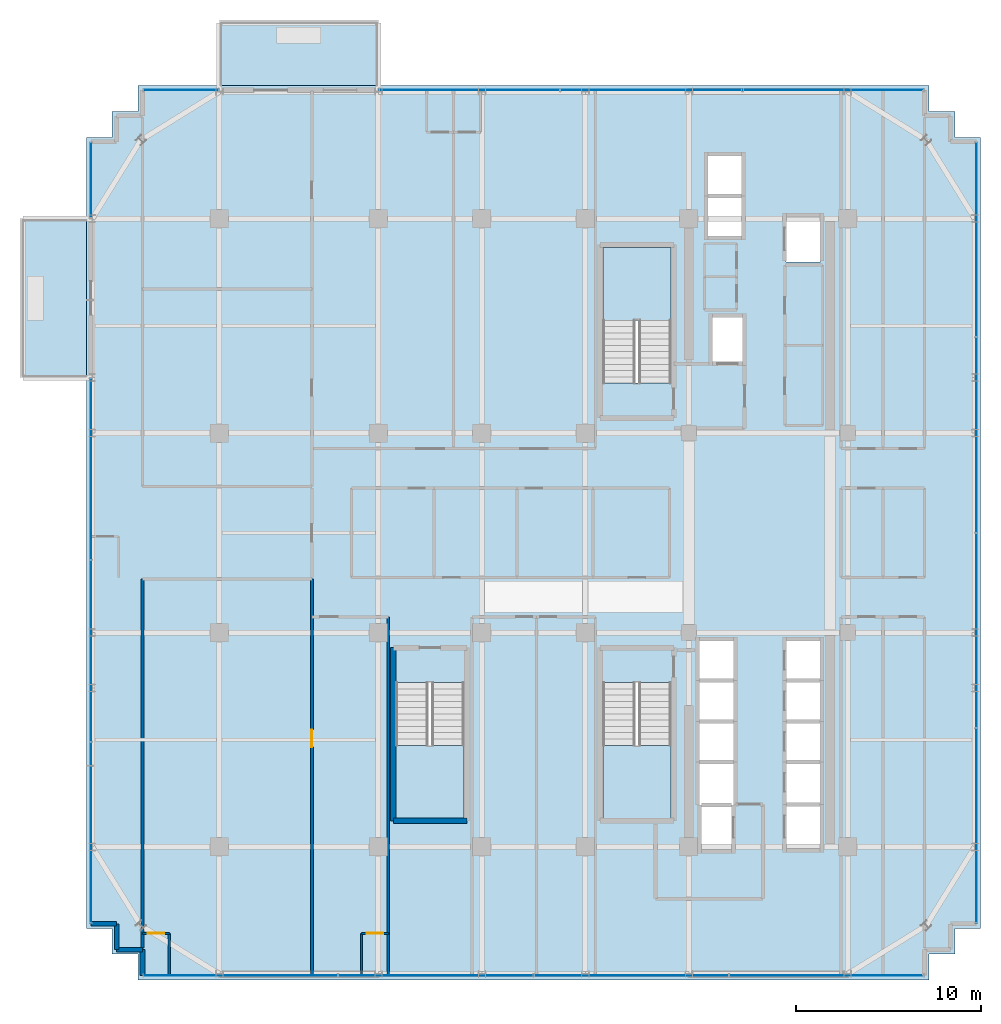
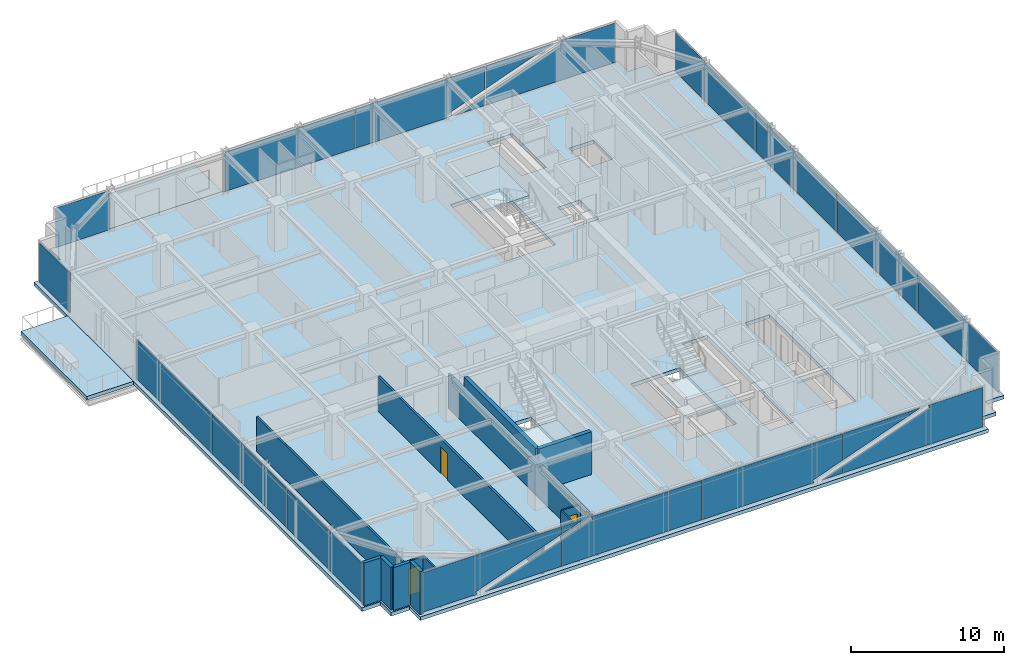
# One storey, part 28 of 36: 16 plates, 13 walls, 6 slabs, 3 doors, 3 openings, 9 elements without a shape of their own.
"""IFC4 building model written with IfcOpenShell, lengths in metres."""

from ifc_helpers import new_model, si_unit, direction, frame, frame_2d, origin, origin_2d, place, context, subcontext, project, spatial, polyline, rectangle, outline, extrude, source, transform, mapped, material, layer, layer_set, type_object, element, fill, aggregate, save


model = new_model("IFC4")

# Units and contexts
model_context = context("Model", 3, precision=1e-05, world=origin(), true_north=direction((0.0, 1.0)))
body_context = subcontext(model_context, "Body", "Model", "MODEL_VIEW")
ifc_project = project(units=[si_unit("LENGTHUNIT", "METRE"), si_unit("AREAUNIT", "SQUARE_METRE"), si_unit("VOLUMEUNIT", "CUBIC_METRE"), si_unit("PLANEANGLEUNIT", "RADIAN"), si_unit("MASSUNIT", "GRAM", prefix="KILO")], contexts=[model_context])

# Site, building, storey
site_placement = place(None, origin())
site = spatial("IfcSite", under=ifc_project, at=site_placement, CompositionType="ELEMENT")
building_placement = place(site_placement, origin())
building = spatial("IfcBuilding", under=site, at=building_placement, Name="Nahalor Promenade Grand Hotel", CompositionType="ELEMENT")
storey_placement = place(building_placement, frame((0.0, 0.0, 241.89990234375)))
storey = spatial("IfcBuildingStorey", under=building, at=storey_placement, Name="L62", CompositionType="ELEMENT", Elevation=241.89990234375)

# Curtain wall, plates
ifc_material_1 = material(Name="Anodised Bronze Aluminium EN AW-6063 T6", Category="aluminium")
curtain_wall_type = type_object("IfcCurtainWallType", Name="CW2 Typical Hotel Flush Bronze Unitised Curtain Wall", PredefinedType="USERDEFINED", material=ifc_material_1)
curtain_wall_1_placement = place(storey_placement, origin())
curtain_wall_1 = element("IfcCurtainWall", 1, at=curtain_wall_1_placement, inside=storey, type_object=curtain_wall_type, Name="L62 Curtain Wall CW-L62-S-1", ObjectType="UNITISED_CURTAIN_WALL", PredefinedType="USERDEFINED")
ifc_material_2 = material(Name="Low-E Laminated Solar Glass", Category="glass")
ifc_layer_1 = layer(ifc_material_2, 0.028076171875)
ifc_layer_set_1 = layer_set([ifc_layer_1], Name="Low-E Laminated Solar Glass")
plate_type = type_object("IfcPlateType", Name="CWP2 Bronze Low-E Vision IGU 28mm", PredefinedType="CURTAIN_PANEL", material=ifc_layer_set_1)
plate_1_placement = place(storey_placement, frame((-15.853759765625, -23.9599609375, 0.130126953125), z_axis=(0.0, 0.0, 1.0), x_axis=(1.0, 0.0, 0.0)))
plate_1 = element("IfcPlate", 2, at=plate_1_placement, type_object=plate_type, Name="CW-L62-S-1 Glazing Panel 0-0", PredefinedType="CURTAIN_PANEL", context=body_context, shape_type="SweptSolid", body=[
    extrude(outline(polyline([(-5.2412109375, 3.14990234375), (-5.2412109375, 0.0), (-1.16552734375, 0.0), (-1.246337890625, 0.22314453125), (5.2412109375, 2.569091796875), (5.2412109375, 3.14990234375), (-5.2412109375, 3.14990234375)])), frame((0.0, 0.01416015625, 0.0), z_axis=(0.0, -1.0, 0.0), x_axis=(1.0, 0.0, 0.0)), (0.0, 0.0, 1.0), 0.028076171875),
    extrude(outline(polyline([(-0.5400390625, 0.0), (5.2412109375, 0.0), (5.2412109375, 2.090576171875), (-0.5400390625, 0.0)])), frame((0.0, 0.01416015625, 0.0), z_axis=(0.0, -1.0, 0.0), x_axis=(1.0, 0.0, 0.0)), (0.0, 0.0, 1.0), 0.028076171875),
])
plate_2_placement = place(storey_placement, frame((-5.2900390625, -23.9599609375, 0.130126953125), z_axis=(0.0, 0.0, 1.0), x_axis=(1.0, 0.0, 0.0)))
plate_2 = element("IfcPlate", 3, at=plate_2_placement, type_object=plate_type, Name="CW-L62-S-1 Glazing Panel 1-0", PredefinedType="CURTAIN_PANEL", context=body_context, shape_type="SweptSolid", body=[
    extrude(outline(polyline([(5.257568359375, 0.0), (5.257568359375, 3.14990234375), (-3.090576171875, 3.14990234375), (-3.010009765625, 2.927001953125), (-5.257568359375, 2.1142578125), (-5.257568359375, 0.0), (5.257568359375, 0.0)])), frame((0.0, 0.01416015625, 0.0), z_axis=(0.0, -1.0, 0.0), x_axis=(1.0, 0.0, 0.0)), (0.0, 0.0, 1.0), 0.028076171875),
    extrude(outline(polyline([(-3.71630859375, 3.14990234375), (-5.257568359375, 3.14990234375), (-5.257568359375, 2.5927734375), (-3.71630859375, 3.14990234375)])), frame((0.0, 0.01416015625, 0.0), z_axis=(0.0, -1.0, 0.0), x_axis=(1.0, 0.0, 0.0)), (0.0, 0.0, 1.0), 0.028076171875),
])
plate_3_placement = place(storey_placement, frame((5.2900390625, -23.9599609375, 0.130126953125), z_axis=(0.0, 0.0, 1.0), x_axis=(1.0, 0.0, 0.0)))
plate_3 = element("IfcPlate", 4, at=plate_3_placement, type_object=plate_type, Name="CW-L62-S-1 Glazing Panel 2-0", PredefinedType="CURTAIN_PANEL", context=body_context, shape_type="SweptSolid", body=[
    extrude(outline(polyline([(-5.257568359375, 3.14990234375), (-5.257568359375, 0.0), (3.090576171875, 0.0), (3.010009765625, 0.22314453125), (5.257568359375, 1.035888671875), (5.257568359375, 3.14990234375), (-5.257568359375, 3.14990234375)])), frame((0.0, 0.01416015625, 0.0), z_axis=(0.0, -1.0, 0.0), x_axis=(1.0, 0.0, 0.0)), (0.0, 0.0, 1.0), 0.028076171875),
    extrude(outline(polyline([(3.71630859375, 0.0), (5.257568359375, 0.0), (5.257568359375, 0.557373046875), (3.71630859375, 0.0)])), frame((0.0, 0.01416015625, 0.0), z_axis=(0.0, -1.0, 0.0), x_axis=(1.0, 0.0, 0.0)), (0.0, 0.0, 1.0), 0.028076171875),
])
plate_4_placement = place(storey_placement, frame((15.853759765625, -23.9599609375, 0.130126953125), z_axis=(0.0, 0.0, 1.0), x_axis=(1.0, 0.0, 0.0)))
plate_4 = element("IfcPlate", 5, at=plate_4_placement, type_object=plate_type, Name="CW-L62-S-1 Glazing Panel 3-0", PredefinedType="CURTAIN_PANEL", context=body_context, shape_type="SweptSolid", body=[
    extrude(outline(polyline([(5.2412109375, 0.0), (5.2412109375, 3.14990234375), (1.16552734375, 3.14990234375), (1.246337890625, 2.927001953125), (-5.2412109375, 0.580810546875), (-5.2412109375, 0.0), (5.2412109375, 0.0)])), frame((0.0, 0.01416015625, 0.0), z_axis=(0.0, -1.0, 0.0), x_axis=(1.0, 0.0, 0.0)), (0.0, 0.0, 1.0), 0.028076171875),
    extrude(outline(polyline([(0.5400390625, 3.14990234375), (-5.2412109375, 3.14990234375), (-5.2412109375, 1.059326171875), (0.5400390625, 3.14990234375)])), frame((0.0, 0.01416015625, 0.0), z_axis=(0.0, -1.0, 0.0), x_axis=(1.0, 0.0, 0.0)), (0.0, 0.0, 1.0), 0.028076171875),
])
aggregate(curtain_wall_1, [plate_1, plate_2, plate_3, plate_4])

curtain_wall_2_placement = place(storey_placement, origin())
curtain_wall_2 = element("IfcCurtainWall", 6, at=curtain_wall_2_placement, inside=storey, type_object=curtain_wall_type, Name="L62 Curtain Wall CW-L62-N-3", ObjectType="UNITISED_CURTAIN_WALL", PredefinedType="USERDEFINED")
plate_5_placement = place(storey_placement, frame((6.3798828125, 23.9599609375, 0.130126953125), z_axis=(0.0, 0.0, 1.0), x_axis=(1.0, 0.0, 0.0)))
plate_5 = element("IfcPlate", 7, at=plate_5_placement, type_object=plate_type, Name="CW-L62-N-3 Glazing Panel 1-0", PredefinedType="CURTAIN_PANEL", context=body_context, shape_type="SweptSolid", body=[
    extrude(outline(polyline([(-4.894287109375, 3.14990234375), (-4.894287109375, 0.0), (2.000732421875, 0.0), (1.919921875, 0.22314453125), (4.894287109375, 1.298583984375), (4.894287109375, 3.14990234375), (-4.894287109375, 3.14990234375)])), frame((0.0, 0.01416015625, 0.0), z_axis=(0.0, -1.0, 0.0), x_axis=(1.0, 0.0, 0.0)), (0.0, 0.0, 1.0), 0.028076171875),
    extrude(outline(polyline([(2.626220703125, 0.0), (4.894287109375, 0.0), (4.894287109375, 0.820068359375), (2.626220703125, 0.0)])), frame((0.0, 0.01416015625, 0.0), z_axis=(0.0, -1.0, 0.0), x_axis=(1.0, 0.0, 0.0)), (0.0, 0.0, 1.0), 0.028076171875),
])
plate_6_placement = place(storey_placement, frame((16.217041015625, 23.9599609375, 0.130126953125), z_axis=(0.0, 0.0, 1.0), x_axis=(1.0, 0.0, 0.0)))
plate_6 = element("IfcPlate", 8, at=plate_6_placement, type_object=plate_type, Name="CW-L62-N-3 Glazing Panel 2-0", PredefinedType="CURTAIN_PANEL", context=body_context, shape_type="SweptSolid", body=[
    extrude(outline(polyline([(4.8779296875, 0.0), (4.8779296875, 3.14990234375), (0.80224609375, 3.14990234375), (0.883056640625, 2.927001953125), (-4.8779296875, 0.843505859375), (-4.8779296875, 0.0), (4.8779296875, 0.0)])), frame((0.0, 0.01416015625, 0.0), z_axis=(0.0, -1.0, 0.0), x_axis=(1.0, 0.0, 0.0)), (0.0, 0.0, 1.0), 0.028076171875),
    extrude(outline(polyline([(0.176513671875, 3.14990234375), (-4.8779296875, 3.14990234375), (-4.8779296875, 1.322265625), (0.176513671875, 3.14990234375)])), frame((0.0, 0.01416015625, 0.0), z_axis=(0.0, -1.0, 0.0), x_axis=(1.0, 0.0, 0.0)), (0.0, 0.0, 1.0), 0.028076171875),
])

# Stair, slab
ifc_material_3 = material(Name="Concrete B-50 (C40/50)", Category="concrete")
stair_type_1 = type_object("IfcStairType", Name="Stair-ST1", PredefinedType="HALF_TURN_STAIR", material=ifc_material_3)
stair_1_placement = place(storey_placement, origin())
stair_1 = element("IfcStair", 9, at=stair_1_placement, inside=storey, type_object=stair_type_1, Name="L62 ST1", PredefinedType="HALF_TURN_STAIR")
ifc_layer_2 = layer(ifc_material_3, 0.199951171875)
ifc_layer_set_2 = layer_set([ifc_layer_2], Name="Concrete B-50 (C40/50)")
slab_type_1 = type_object("IfcSlabType", Name="Landing-ST1", PredefinedType="LANDING", material=ifc_layer_set_2)
slab_1_placement = place(storey_placement, frame((0.0, 0.0, 1.650146484375)))
slab_1 = element("IfcSlab", 10, at=slab_1_placement, type_object=slab_type_1, Name="ST1 landing 1", PredefinedType="LANDING", context=body_context, shape_type="SweptSolid", body=[
    extrude(outline(polyline([(7.449951171875, 11.5), (7.449951171875, 15.449951171875), (3.75, 15.449951171875), (3.75, 11.5), (7.449951171875, 11.5)])), origin(), (0.0, 0.0, 1.0), 0.199951171875),
])
aggregate(stair_1, [slab_1])

stair_type_2 = type_object("IfcStairType", Name="Stair-ST2", PredefinedType="HALF_TURN_STAIR", material=ifc_material_3)
stair_2_placement = place(storey_placement, origin())
stair_2 = element("IfcStair", 11, at=stair_2_placement, inside=storey, type_object=stair_type_2, Name="L62 ST2", PredefinedType="HALF_TURN_STAIR")
ifc_layer_3 = layer(ifc_material_3, 0.2099609375)
ifc_layer_set_3 = layer_set([ifc_layer_3], Name="Concrete B-50 (C40/50)")
slab_type_2 = type_object("IfcSlabType", Name="Landing-ST2", PredefinedType="LANDING", material=ifc_layer_set_3)
slab_2_placement = place(storey_placement, frame((0.0, 0.0, 1.64013671875)))
slab_2 = element("IfcSlab", 12, at=slab_2_placement, type_object=slab_type_2, Name="ST2 landing 1", PredefinedType="LANDING", context=body_context, shape_type="SweptSolid", body=[
    extrude(outline(polyline([(3.75, -11.5), (3.75, -15.449951171875), (7.449951171875, -15.449951171875), (7.449951171875, -11.5), (3.75, -11.5)])), origin(), (0.0, 0.0, 1.0), 0.2099609375),
])
aggregate(stair_2, [slab_2])

stair_type_3 = type_object("IfcStairType", Name="Stair-ST3", PredefinedType="HALF_TURN_STAIR", material=ifc_material_3)
stair_3_placement = place(storey_placement, origin())
stair_3 = element("IfcStair", 13, at=stair_3_placement, inside=storey, type_object=stair_type_3, Name="L62 ST3", PredefinedType="HALF_TURN_STAIR")
ifc_layer_4 = layer(ifc_material_3, 0.219970703125)
ifc_layer_set_4 = layer_set([ifc_layer_4], Name="Concrete B-50 (C40/50)")
slab_type_3 = type_object("IfcSlabType", Name="Landing-ST3", PredefinedType="LANDING", material=ifc_layer_set_4)
slab_3_placement = place(storey_placement, frame((0.0, 0.0, 1.630126953125)))
slab_3 = element("IfcSlab", 14, at=slab_3_placement, type_object=slab_type_3, Name="ST3 landing 1", PredefinedType="LANDING", context=body_context, shape_type="SweptSolid", body=[
    extrude(outline(polyline([(-7.449951171875, -11.5), (-7.449951171875, -15.449951171875), (-3.75, -15.449951171875), (-3.75, -11.5), (-7.449951171875, -11.5)])), origin(), (0.0, 0.0, 1.0), 0.219970703125),
])
aggregate(stair_3, [slab_3])

# Slabs
ifc_layer_5 = layer(ifc_material_3, 0.280029296875)
ifc_layer_set_5 = layer_set([ifc_layer_5], Name="Concrete B-50 (C40/50)")
slab_type_4 = type_object("IfcSlabType", Name="Slab-Balcony-280", PredefinedType="FLOOR", material=ifc_layer_set_5)
slab_4_placement = place(storey_placement, frame((0.0, 0.0, -0.27978515625)))
element("IfcSlab", 15, at=slab_4_placement, inside=storey, type_object=slab_type_4, Name="L62 Cantilevered Planted Balcony 1", PredefinedType="FLOOR", context=body_context, shape_type="SweptSolid", body=[
    extrude(outline(polyline([(-17.0, 24.199951171875), (-8.39990234375, 24.199951171875), (-8.39990234375, 27.679931640625), (-17.0, 27.679931640625), (-17.0, 24.199951171875)])), origin(), (0.0, 0.0, 1.0), 0.27978515625),
])
slab_5_placement = place(storey_placement, frame((0.0, 0.0, -0.27978515625)))
element("IfcSlab", 16, at=slab_5_placement, inside=storey, type_object=slab_type_4, Name="L62 Cantilevered Planted Balcony 2", PredefinedType="FLOOR", context=body_context, shape_type="SweptSolid", body=[
    extrude(outline(polyline([(-27.719970703125, 8.39990234375), (-24.199951171875, 8.39990234375), (-24.199951171875, 17.0), (-27.719970703125, 17.0), (-27.719970703125, 8.39990234375)])), origin(), (0.0, 0.0, 1.0), 0.27978515625),
])
ifc_layer_6 = layer(ifc_material_3, 0.2900390625)
ifc_layer_set_6 = layer_set([ifc_layer_6], Name="Concrete B-50 (C40/50)")
slab_type_5 = type_object("IfcSlabType", Name="Slab-TowerZ4-290", PredefinedType="FLOOR", material=ifc_layer_set_6)
slab_6_placement = place(storey_placement, frame((0.0, 0.0, -0.289794921875)))
element("IfcSlab", 17, at=slab_6_placement, inside=storey, type_object=slab_type_5, Name="L62 Suspended Structural Floor Slab", PredefinedType="FLOOR", context=body_context, shape_type="SweptSolid", body=[
    extrude(outline(polyline([(-21.39990234375, -24.199951171875), (21.39990234375, -24.199951171875), (21.39990234375, -22.800048828125), (22.800048828125, -22.800048828125), (22.800048828125, -21.39990234375), (24.199951171875, -21.39990234375), (24.199951171875, 21.39990234375), (22.800048828125, 21.39990234375), (22.800048828125, 22.800048828125), (21.39990234375, 22.800048828125), (21.39990234375, 24.199951171875), (-21.39990234375, 24.199951171875), (-21.39990234375, 22.800048828125), (-22.800048828125, 22.800048828125), (-22.800048828125, 21.39990234375), (-24.199951171875, 21.39990234375), (-24.199951171875, -21.39990234375), (-22.800048828125, -21.39990234375), (-22.800048828125, -22.800048828125), (-21.39990234375, -22.800048828125), (-21.39990234375, -24.199951171875)]), holes=[polyline([(3.75, 8.10009765625), (7.449951171875, 8.10009765625), (7.449951171875, 15.449951171875), (3.75, 15.449951171875), (3.75, 8.10009765625)]), polyline([(3.75, -15.449951171875), (7.449951171875, -15.449951171875), (7.449951171875, -8.10009765625), (3.75, -8.10009765625), (3.75, -15.449951171875)]), polyline([(-7.449951171875, -15.449951171875), (-3.75, -15.449951171875), (-3.75, -8.10009765625), (-7.449951171875, -8.10009765625), (-7.449951171875, -15.449951171875)]), polyline([(13.659912109375, -17.139892578125), (15.5400390625, -17.139892578125), (15.5400390625, -5.81005859375), (13.659912109375, -5.81005859375), (13.659912109375, -17.139892578125)]), polyline([(8.9599609375, -17.18994140625), (10.840087890625, -17.18994140625), (10.840087890625, -5.81005859375), (8.9599609375, -5.81005859375), (8.9599609375, -17.18994140625)]), polyline([(9.409912109375, 16.010009765625), (11.2900390625, 16.010009765625), (11.2900390625, 20.43994140625), (9.409912109375, 20.43994140625), (9.409912109375, 16.010009765625)]), polyline([(9.659912109375, 9.2099609375), (11.340087890625, 9.2099609375), (11.340087890625, 11.68994140625), (9.659912109375, 11.68994140625), (9.659912109375, 9.2099609375)]), polyline([(13.659912109375, 14.659912109375), (15.5400390625, 14.659912109375), (15.5400390625, 17.139892578125), (13.659912109375, 17.139892578125), (13.659912109375, 14.659912109375)])]), origin(), (0.0, 0.0, 1.0), 0.289794921875),
])

# Curtain wall, plates
curtain_wall_3_placement = place(storey_placement, origin())
curtain_wall_3 = element("IfcCurtainWall", 18, at=curtain_wall_3_placement, inside=storey, type_object=curtain_wall_type, Name="L62 Curtain Wall CW-L62-E-1", ObjectType="UNITISED_CURTAIN_WALL", PredefinedType="USERDEFINED")
shared_shape_1 = source(origin(), body_context, "Body", "SweptSolid", [
    extrude(rectangle(XDim=10.482421875, YDim=0.028076171875, at=origin_2d()), origin(), (0.0, 0.0, 1.0), 3.14990234375),
])
plate_7_placement = place(storey_placement, frame((23.9599609375, -15.853759765625, 0.130126953125), z_axis=(0.0, 0.0, 1.0), x_axis=(0.0, 1.0, 0.0)))
plate_7 = element("IfcPlate", 19, at=plate_7_placement, type_object=plate_type, Name="CW-L62-E-1 Glazing Panel 0-0", PredefinedType="CURTAIN_PANEL", context=body_context, shape_type="MappedRepresentation", body=[
    mapped(shared_shape_1, transform((0.0, 0.0, 0.0), scale=1.0)),
])
plate_8_placement = place(storey_placement, frame((23.9599609375, 15.853759765625, 0.130126953125), z_axis=(0.0, 0.0, 1.0), x_axis=(0.0, 1.0, 0.0)))
plate_8 = element("IfcPlate", 20, at=plate_8_placement, type_object=plate_type, Name="CW-L62-E-1 Glazing Panel 3-0", PredefinedType="CURTAIN_PANEL", context=body_context, shape_type="MappedRepresentation", body=[
    mapped(shared_shape_1, transform((0.0, 0.0, 0.0), scale=1.0)),
])
shared_shape_2 = source(origin(), body_context, "Body", "SweptSolid", [
    extrude(rectangle(XDim=10.514892578125, YDim=0.028076171875, at=origin_2d()), origin(), (0.0, 0.0, 1.0), 3.14990234375),
])
plate_9_placement = place(storey_placement, frame((23.9599609375, -5.2900390625, 0.130126953125), z_axis=(0.0, 0.0, 1.0), x_axis=(0.0, 1.0, 0.0)))
plate_9 = element("IfcPlate", 21, at=plate_9_placement, type_object=plate_type, Name="CW-L62-E-1 Glazing Panel 1-0", PredefinedType="CURTAIN_PANEL", context=body_context, shape_type="MappedRepresentation", body=[
    mapped(shared_shape_2, transform((0.0, 0.0, 0.0), scale=1.0)),
])
plate_10_placement = place(storey_placement, frame((23.9599609375, 5.2900390625, 0.130126953125), z_axis=(0.0, 0.0, 1.0), x_axis=(0.0, 1.0, 0.0)))
plate_10 = element("IfcPlate", 22, at=plate_10_placement, type_object=plate_type, Name="CW-L62-E-1 Glazing Panel 2-0", PredefinedType="CURTAIN_PANEL", context=body_context, shape_type="MappedRepresentation", body=[
    mapped(shared_shape_2, transform((0.0, 0.0, 0.0), scale=1.0)),
])
aggregate(curtain_wall_3, [plate_7, plate_9, plate_10, plate_8])

# Curtain wall, plate
curtain_wall_4_placement = place(storey_placement, origin())
curtain_wall_4 = element("IfcCurtainWall", 23, at=curtain_wall_4_placement, inside=storey, type_object=curtain_wall_type, Name="L62 Curtain Wall CW-L62-N-1", ObjectType="UNITISED_CURTAIN_WALL", PredefinedType="USERDEFINED")
shared_shape_3 = source(origin(), body_context, "Body", "SweptSolid", [
    extrude(rectangle(XDim=4.030029296875, YDim=0.028076171875, at=origin_2d()), origin(), (0.0, 0.0, 1.0), 3.14990234375),
])
plate_11_placement = place(storey_placement, frame((-19.080078125, 23.9599609375, 0.130126953125), z_axis=(0.0, 0.0, 1.0), x_axis=(1.0, 0.0, 0.0)))
plate_11 = element("IfcPlate", 24, at=plate_11_placement, type_object=plate_type, Name="CW-L62-N-1 Glazing Panel 0-0", PredefinedType="CURTAIN_PANEL", context=body_context, shape_type="MappedRepresentation", body=[
    mapped(shared_shape_3, transform((0.0, 0.0, 0.0), scale=1.0)),
])
aggregate(curtain_wall_4, [plate_11])

curtain_wall_5_placement = place(storey_placement, origin())
curtain_wall_5 = element("IfcCurtainWall", 25, at=curtain_wall_5_placement, inside=storey, type_object=curtain_wall_type, Name="L62 Curtain Wall CW-L62-W-3", ObjectType="UNITISED_CURTAIN_WALL", PredefinedType="USERDEFINED")
plate_12_placement = place(storey_placement, frame((-23.9599609375, 19.080078125, 0.130126953125), z_axis=(0.0, 0.0, 1.0), x_axis=(0.0, 1.0, 0.0)))
plate_12 = element("IfcPlate", 26, at=plate_12_placement, type_object=plate_type, Name="CW-L62-W-3 Glazing Panel 0-0", PredefinedType="CURTAIN_PANEL", context=body_context, shape_type="MappedRepresentation", body=[
    mapped(shared_shape_3, transform((0.0, 0.0, 0.0), scale=1.0)),
])
aggregate(curtain_wall_5, [plate_12])

# Plate
shared_shape_4 = source(origin(), body_context, "Body", "SweptSolid", [
    extrude(rectangle(XDim=9.755859375, YDim=0.028076171875, at=origin_2d()), origin(), (0.0, 0.0, 1.0), 3.14990234375),
])
plate_13_placement = place(storey_placement, frame((-3.45703125, 23.9599609375, 0.130126953125), z_axis=(0.0, 0.0, 1.0), x_axis=(1.0, 0.0, 0.0)))
plate_13 = element("IfcPlate", 27, at=plate_13_placement, type_object=plate_type, Name="CW-L62-N-3 Glazing Panel 0-0", PredefinedType="CURTAIN_PANEL", context=body_context, shape_type="MappedRepresentation", body=[
    mapped(shared_shape_4, transform((0.0, 0.0, 0.0), scale=1.0)),
])

aggregate(curtain_wall_2, [plate_13, plate_5, plate_6])

# Curtain wall, plates
curtain_wall_6_placement = place(storey_placement, origin())
curtain_wall_6 = element("IfcCurtainWall", 28, at=curtain_wall_6_placement, inside=storey, type_object=curtain_wall_type, Name="L62 Curtain Wall CW-L62-W-1", ObjectType="UNITISED_CURTAIN_WALL", PredefinedType="USERDEFINED")
plate_14_placement = place(storey_placement, frame((-23.9599609375, -16.217041015625, 0.130126953125), z_axis=(0.0, 0.0, 1.0), x_axis=(0.0, 1.0, 0.0)))
plate_14 = element("IfcPlate", 29, at=plate_14_placement, type_object=plate_type, Name="CW-L62-W-1 Glazing Panel 0-0", PredefinedType="CURTAIN_PANEL", context=body_context, shape_type="MappedRepresentation", body=[
    mapped(shared_shape_4, transform((0.0, 0.0, 0.0), scale=1.0)),
])
plate_15_placement = place(storey_placement, frame((-23.9599609375, 3.45703125, 0.130126953125), z_axis=(0.0, 0.0, 1.0), x_axis=(0.0, 1.0, 0.0)))
plate_15 = element("IfcPlate", 30, at=plate_15_placement, type_object=plate_type, Name="CW-L62-W-1 Glazing Panel 2-0", PredefinedType="CURTAIN_PANEL", context=body_context, shape_type="MappedRepresentation", body=[
    mapped(shared_shape_4, transform((0.0, 0.0, 0.0), scale=1.0)),
])
shared_shape_5 = source(origin(), body_context, "Body", "SweptSolid", [
    extrude(rectangle(XDim=9.788330078125, YDim=0.028076171875, at=origin_2d()), origin(), (0.0, 0.0, 1.0), 3.14990234375),
])
plate_16_placement = place(storey_placement, frame((-23.9599609375, -6.3798828125, 0.130126953125), z_axis=(0.0, 0.0, 1.0), x_axis=(0.0, 1.0, 0.0)))
plate_16 = element("IfcPlate", 31, at=plate_16_placement, type_object=plate_type, Name="CW-L62-W-1 Glazing Panel 1-0", PredefinedType="CURTAIN_PANEL", context=body_context, shape_type="MappedRepresentation", body=[
    mapped(shared_shape_5, transform((0.0, 0.0, 0.0), scale=1.0)),
])
aggregate(curtain_wall_6, [plate_14, plate_16, plate_15])

# Walls
ifc_layer_7 = layer(ifc_material_3, 0.300048828125)
ifc_layer_set_7 = layer_set([ifc_layer_7], Name="Concrete B-50 (C40/50)")
wall_type_1 = type_object("IfcWallType", Name="Wall-ShaftShear-300", PredefinedType="SHEAR", material=ifc_layer_set_7)
shared_shape_6 = source(origin(), body_context, "Body", "SweptSolid", [
    extrude(rectangle(XDim=3.97998046875, YDim=0.300048828125, at=frame_2d((1.989990234375, 0.0))), origin(), (0.0, 0.0, 1.0), 3.41015625),
])
wall_1_placement = place(storey_placement, frame((-7.590087890625, -15.590087890625, 0.0), z_axis=(0.0, 0.0, 1.0), x_axis=(1.0, 0.0, 0.0)))
element("IfcWall", 32, at=wall_1_placement, inside=storey, type_object=wall_type_1, Name="L62 Exit Stair ST3 Shaft Wall S", PredefinedType="SHEAR", context=body_context, shape_type="MappedRepresentation", body=[
    mapped(shared_shape_6, transform((0.0, 0.0, 0.0), scale=1.0)),
])
shared_shape_7 = source(origin(), body_context, "Body", "SweptSolid", [
    extrude(rectangle(XDim=9.380126953125, YDim=0.300048828125, at=frame_2d((4.68994140625, 0.0))), origin(), (0.0, 0.0, 1.0), 3.41015625),
])
wall_2_placement = place(storey_placement, frame((-7.590087890625, -15.590087890625, 0.0), z_axis=(0.0, 0.0, 1.0), x_axis=(0.0, 1.0, 0.0)))
element("IfcWall", 33, at=wall_2_placement, inside=storey, type_object=wall_type_1, Name="L62 Exit Stair ST3 Shaft Wall W", PredefinedType="SHEAR", context=body_context, shape_type="MappedRepresentation", body=[
    mapped(shared_shape_7, transform((0.0, 0.0, 0.0), scale=1.0)),
])
ifc_material_4 = material(Name="Concrete B-40 (C32/40)", Category="concrete")
ifc_layer_8 = layer(ifc_material_4, 0.25)
ifc_layer_set_8 = layer_set([ifc_layer_8], Name="Concrete B-40 (C32/40)")
wall_type_2 = type_object("IfcWallType", Name="Wall-BronzePier-250", PredefinedType="STANDARD", material=ifc_layer_set_8)
shared_shape_8 = source(origin(), body_context, "Body", "SweptSolid", [
    extrude(rectangle(XDim=1.39990234375, YDim=0.25, at=frame_2d((0.699951171875, 0.0))), origin(), (0.0, 0.0, 1.0), 3.41015625),
])
for number, where, z_axis, x_axis, name in (
    (34, (-23.9599609375, -21.159912109375, 0.0), (0.0, 0.0, 1.0), (1.0, 0.0, 0.0), "W-L62-SR-13"),
    (35, (-21.159912109375, -23.9599609375, 0.0), (0.0, 0.0, 1.0), (0.0, 1.0, 0.0), "W-L62-SR-16"),
):
    element("IfcWall", number, at=place(storey_placement, frame(where, z_axis=z_axis, x_axis=x_axis)), inside=storey, type_object=wall_type_2, Name=name, PredefinedType="STANDARD", context=body_context, shape_type="MappedRepresentation", body=[
        mapped(shared_shape_8, transform((0.0, 0.0, 0.0), scale=1.0)),
    ])
shared_shape_9 = source(origin(), body_context, "Body", "SweptSolid", [
    extrude(rectangle(XDim=1.400146484375, YDim=0.25, at=frame_2d((0.7001953125, 0.0))), origin(), (0.0, 0.0, 1.0), 3.41015625),
])
for number, where, z_axis, x_axis, name in (
    (36, (-22.56005859375, -22.56005859375, 0.0), (0.0, 0.0, 1.0), (0.0, 1.0, 0.0), "W-L62-SR-14"),
    (37, (-22.56005859375, -22.56005859375, 0.0), (0.0, 0.0, 1.0), (1.0, 0.0, 0.0), "W-L62-SR-15"),
):
    element("IfcWall", number, at=place(storey_placement, frame(where, z_axis=z_axis, x_axis=x_axis)), inside=storey, type_object=wall_type_2, Name=name, PredefinedType="STANDARD", context=body_context, shape_type="MappedRepresentation", body=[
        mapped(shared_shape_9, transform((0.0, 0.0, 0.0), scale=1.0)),
    ])

# Wall, opening, door
ifc_material_5 = material(Name="Acoustic Mineral Gypsum", Category="gypsum")
ifc_layer_9 = layer(ifc_material_5, 0.159912109375)
ifc_layer_set_9 = layer_set([ifc_layer_9], Name="Acoustic Mineral Gypsum")
wall_type_3 = type_object("IfcWallType", Name="Wall-PartCorridor-160", PredefinedType="PARTITIONING", material=ifc_layer_set_9)
shared_shape_10 = source(origin(), body_context, "Body", "SweptSolid", [
    extrude(rectangle(XDim=21.39990234375, YDim=0.159912109375, at=frame_2d((10.699951171875, 0.0))), origin(), (0.0, 0.0, 1.0), 2.75),
])
wall_3_placement = place(storey_placement, frame((-12.0, -23.89990234375, 0.0), z_axis=(0.0, 0.0, 1.0), x_axis=(0.0, 1.0, 0.0)))
wall_3 = element("IfcWall", 38, at=wall_3_placement, inside=storey, type_object=wall_type_3, Name="W-L62-ZSW-E", PredefinedType="PARTITIONING", context=body_context, shape_type="MappedRepresentation", body=[
    mapped(shared_shape_10, transform((0.0, 0.0, 0.0), scale=1.0)),
])
opening_1_placement = place(wall_3_placement, frame((12.300048828125, 0.0, 0.0)))
opening_1 = element("IfcOpeningElement", 39, at=opening_1_placement, cuts=wall_3, Name="Opening D-01", PredefinedType="OPENING", context=body_context, shape_type="SweptSolid", body=[
    extrude(rectangle(XDim=0.949951171875, YDim=2.10009765625, at=frame_2d((0.47509765625, 1.050048828125))), frame((0.0, 0.08984375, 0.0), z_axis=(0.0, -1.0, 0.0), x_axis=(1.0, 0.0, 0.0)), (0.0, 0.0, 1.0), 0.179931640625),
])
ifc_material_6 = material(Name="Fire-Rated Timber Composite", Category="wood")
door_type_1 = type_object("IfcDoorType", Name="Door-GuestEntry-950", OperationType="NOTDEFINED", PredefinedType="DOOR", material=ifc_material_6)
shared_shape_11 = source(origin(), body_context, "Body", "SweptSolid", [
    extrude(rectangle(XDim=0.949951171875, YDim=2.10009765625, at=frame_2d((0.47509765625, 1.050048828125))), frame((0.0, 0.02490234375, 0.0), z_axis=(0.0, -1.0, 0.0), x_axis=(1.0, 0.0, 0.0)), (0.0, 0.0, 1.0), 0.050048828125),
])
door_1_placement = place(opening_1_placement, origin())
door_1 = element("IfcDoor", 40, at=door_1_placement, inside=storey, type_object=door_type_1, Name="DR-L62-SW0-ENT", OperationType="SINGLE_SWING_RIGHT", OverallHeight=2.10009765625, OverallWidth=0.949951171875, PredefinedType="DOOR", context=body_context, shape_type="MappedRepresentation", body=[
    mapped(shared_shape_11, transform((0.0, 0.0, 0.0), scale=1.0)),
])
fill(opening_1, door_1)

# Wall
ifc_layer_10 = layer(ifc_material_5, 0.139892578125)
ifc_layer_set_10 = layer_set([ifc_layer_10], Name="Acoustic Mineral Gypsum")
wall_type_4 = type_object("IfcWallType", Name="Wall-PartSuite-140", PredefinedType="PARTITIONING", material=ifc_layer_set_10)
shared_shape_12 = source(origin(), body_context, "Body", "SweptSolid", [
    extrude(rectangle(XDim=19.97998046875, YDim=0.139892578125, at=frame_2d((9.989990234375, 0.0))), origin(), (0.0, 0.0, 1.0), 2.75),
])
wall_4_placement = place(storey_placement, frame((-21.159912109375, -22.47998046875, 0.0), z_axis=(0.0, 0.0, 1.0), x_axis=(0.0, 1.0, 0.0)))
element("IfcWall", 41, at=wall_4_placement, inside=storey, type_object=wall_type_4, Name="W-L62-ZSW-W", PredefinedType="PARTITIONING", context=body_context, shape_type="MappedRepresentation", body=[
    mapped(shared_shape_12, transform((0.0, 0.0, 0.0), scale=1.0)),
])

# Wall, opening, door
ifc_layer_11 = layer(ifc_material_5, 0.1201171875)
ifc_layer_set_11 = layer_set([ifc_layer_11], Name="Acoustic Mineral Gypsum")
wall_type_5 = type_object("IfcWallType", Name="Wall-PartBath-120", PredefinedType="PARTITIONING", material=ifc_layer_set_11)
shared_shape_13 = source(origin(), body_context, "Body", "SweptSolid", [
    extrude(rectangle(XDim=1.449951171875, YDim=0.1201171875, at=frame_2d((0.72509765625, 0.0))), origin(), (0.0, 0.0, 1.0), 2.75),
])
wall_5_placement = place(storey_placement, frame((-21.159912109375, -21.679931640625, 0.0), z_axis=(0.0, 0.0, 1.0), x_axis=(1.0, 0.0, 0.0)))
wall_5 = element("IfcWall", 42, at=wall_5_placement, inside=storey, type_object=wall_type_5, Name="W-L62-SW0-BH", PredefinedType="PARTITIONING", context=body_context, shape_type="MappedRepresentation", body=[
    mapped(shared_shape_13, transform((0.0, 0.0, 0.0), scale=1.0)),
])
opening_2_placement = place(wall_5_placement, frame((0.284912109375, 0.0, 0.0)))
opening_2 = element("IfcOpeningElement", 43, at=opening_2_placement, cuts=wall_5, Name="Opening D-03", PredefinedType="OPENING", context=body_context, shape_type="SweptSolid", body=[
    extrude(rectangle(XDim=0.8798828125, YDim=2.10009765625, at=frame_2d((0.43994140625, 1.050048828125))), frame((0.0, 0.070068359375, 0.0), z_axis=(0.0, -1.0, 0.0), x_axis=(1.0, 0.0, 0.0)), (0.0, 0.0, 1.0), 0.14013671875),
])
door_type_2 = type_object("IfcDoorType", Name="Door-BathSwing-880", OperationType="NOTDEFINED", PredefinedType="DOOR", material=ifc_material_6)
shared_shape_14 = source(origin(), body_context, "Body", "SweptSolid", [
    extrude(rectangle(XDim=0.8798828125, YDim=2.10009765625, at=frame_2d((0.43994140625, 1.050048828125))), frame((0.0, 0.02490234375, 0.0), z_axis=(0.0, -1.0, 0.0), x_axis=(1.0, 0.0, 0.0)), (0.0, 0.0, 1.0), 0.050048828125),
])
door_2_placement = place(opening_2_placement, frame((0.8798828125, 0.0, 0.0), z_axis=(0.0, 0.0, 1.0), x_axis=(-1.0, 0.0, 0.0)))
door_2 = element("IfcDoor", 44, at=door_2_placement, inside=storey, type_object=door_type_2, Name="DR-L62-SW0-BATH", OperationType="SINGLE_SWING_LEFT", OverallHeight=2.10009765625, OverallWidth=0.8798828125, PredefinedType="DOOR", context=body_context, shape_type="MappedRepresentation", body=[
    mapped(shared_shape_14, transform((0.0, 0.0, 0.0), scale=1.0)),
])
fill(opening_2, door_2)

wall_6_placement = place(storey_placement, frame((-9.31005859375, -21.679931640625, 0.0), z_axis=(0.0, 0.0, 1.0), x_axis=(1.0, 0.0, 0.0)))
wall_6 = element("IfcWall", 45, at=wall_6_placement, inside=storey, type_object=wall_type_5, Name="W-L62-S1-BH", PredefinedType="PARTITIONING", context=body_context, shape_type="MappedRepresentation", body=[
    mapped(shared_shape_13, transform((0.0, 0.0, 0.0), scale=1.0)),
])
opening_3_placement = place(wall_6_placement, frame((0.284912109375, 0.0, 0.0)))
opening_3 = element("IfcOpeningElement", 46, at=opening_3_placement, cuts=wall_6, Name="Opening D-03", PredefinedType="OPENING", context=body_context, shape_type="SweptSolid", body=[
    extrude(rectangle(XDim=0.8798828125, YDim=2.10009765625, at=frame_2d((0.43994140625, 1.050048828125))), frame((0.0, 0.070068359375, 0.0), z_axis=(0.0, -1.0, 0.0), x_axis=(1.0, 0.0, 0.0)), (0.0, 0.0, 1.0), 0.14013671875),
])
door_3_placement = place(opening_3_placement, frame((0.8798828125, 0.0, 0.0), z_axis=(0.0, 0.0, 1.0), x_axis=(-1.0, 0.0, 0.0)))
door_3 = element("IfcDoor", 47, at=door_3_placement, inside=storey, type_object=door_type_2, Name="DR-L62-S1-BATH", OperationType="SINGLE_SWING_LEFT", OverallHeight=2.10009765625, OverallWidth=0.8798828125, PredefinedType="DOOR", context=body_context, shape_type="MappedRepresentation", body=[
    mapped(shared_shape_14, transform((0.0, 0.0, 0.0), scale=1.0)),
])
fill(opening_3, door_3)

# Walls
shared_shape_15 = source(origin(), body_context, "Body", "SweptSolid", [
    extrude(rectangle(XDim=2.219970703125, YDim=0.1201171875, at=frame_2d((1.10986328125, 0.0))), origin(), (0.0, 0.0, 1.0), 2.75),
])
for number, where, z_axis, x_axis, name in (
    (48, (-19.7099609375, -23.89990234375, 0.0), (0.0, 0.0, 1.0), (0.0, 1.0, 0.0), "W-L62-SW0-BV"),
    (49, (-9.31005859375, -23.89990234375, 0.0), (0.0, 0.0, 1.0), (0.0, 1.0, 0.0), "W-L62-S1-BV"),
):
    element("IfcWall", number, at=place(storey_placement, frame(where, z_axis=z_axis, x_axis=x_axis)), inside=storey, type_object=wall_type_5, Name=name, PredefinedType="PARTITIONING", context=body_context, shape_type="MappedRepresentation", body=[
        mapped(shared_shape_15, transform((0.0, 0.0, 0.0), scale=1.0)),
    ])
shared_shape_16 = source(origin(), body_context, "Body", "SweptSolid", [
    extrude(rectangle(XDim=19.349853515625, YDim=0.139892578125, at=frame_2d((9.6748046875, 0.0))), origin(), (0.0, 0.0, 1.0), 2.75),
])
wall_7_placement = place(storey_placement, frame((-7.860107421875, -23.89990234375, 0.0), z_axis=(0.0, 0.0, 1.0), x_axis=(0.0, 1.0, 0.0)))
element("IfcWall", 50, at=wall_7_placement, inside=storey, type_object=wall_type_4, Name="W-L62-SW-ENDE", PredefinedType="PARTITIONING", context=body_context, shape_type="MappedRepresentation", body=[
    mapped(shared_shape_16, transform((0.0, 0.0, 0.0), scale=1.0)),
])

save(model, "model.ifc")
